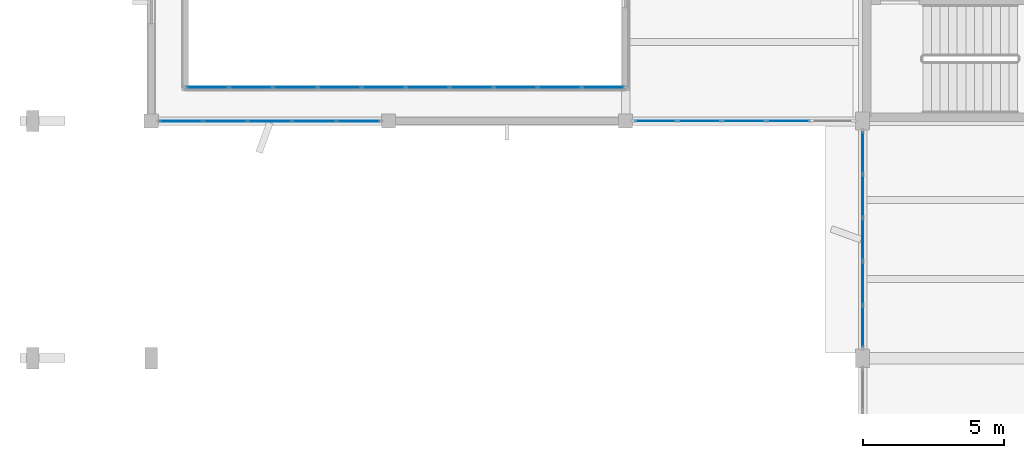
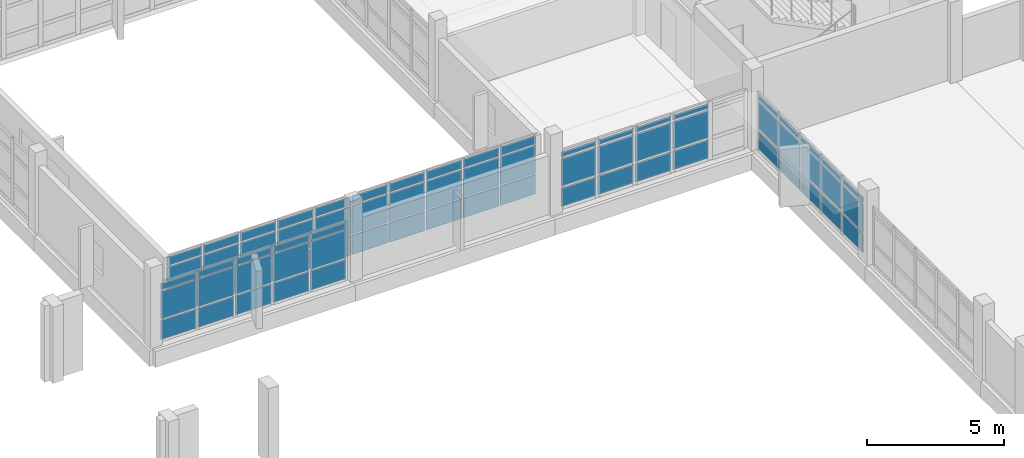
# One storey, part 58 of 104: 72 plates, 4 elements without a shape of their own.
"""IFC4 building model written with IfcOpenShell, lengths in metres."""

from ifc_helpers import new_model, si_unit, direction, frame, origin, origin_2d, place, context, subcontext, project, spatial, rectangle, extrude, material, layer, layer_set, type_object, element, aggregate, save


model = new_model("IFC4")

# Units and contexts
model_context = context("Model", 3, precision=1e-05, world=origin(), true_north=direction((0.0, 1.0)))
body_context = subcontext(model_context, "Body", "Model", "MODEL_VIEW")
ifc_project = project(units=[si_unit("LENGTHUNIT", "METRE"), si_unit("AREAUNIT", "SQUARE_METRE"), si_unit("VOLUMEUNIT", "CUBIC_METRE"), si_unit("PLANEANGLEUNIT", "RADIAN"), si_unit("MASSUNIT", "GRAM", prefix="KILO")], contexts=[model_context])

# Site, building, storey
site_placement = place(None, origin())
site = spatial("IfcSite", under=ifc_project, at=site_placement, CompositionType="ELEMENT")
building_placement = place(site_placement, origin())
building = spatial("IfcBuilding", under=site, at=building_placement, Name="Vanh Quang Courtyard School", CompositionType="ELEMENT")
storey_placement = place(building_placement, frame((0.0, 0.0, 4.199951171875)))
storey = spatial("IfcBuildingStorey", under=building, at=storey_placement, Name="L01", CompositionType="ELEMENT", Elevation=4.199951171875)

# Curtain wall, plates
ifc_material_1 = material(Name="Thermally broken aluminium unitised curtain wall", Category="aluminium")
curtain_wall_type_1 = type_object("IfcCurtainWallType", Name="CW-SYS-19", PredefinedType="NOTDEFINED", material=ifc_material_1)
curtain_wall_1_placement = place(storey_placement, origin())
curtain_wall_1 = element("IfcCurtainWall", 1, at=curtain_wall_1_placement, inside=storey, type_object=curtain_wall_type_1, Name="Curtain Wall CW-19 (L01)", PredefinedType="NOTDEFINED")
ifc_material_2 = material(Name="Low-E laminated double glazing", Category="glass")
ifc_layer_1 = layer(ifc_material_2, 0.028076171875)
ifc_layer_set_1 = layer_set([ifc_layer_1], Name="Low-E laminated double glazing")
plate_type_1 = type_object("IfcPlateType", Name="CW-PNL-28", PredefinedType="CURTAIN_PANEL", material=ifc_layer_set_1)
plate_1_placement = place(storey_placement, frame((26.77685546875, 88.199951171875, 0.080078125), z_axis=(0.0, 0.0, 1.0), x_axis=(-1.0, 0.0, 0.0)))
plate_1 = element("IfcPlate", 2, at=plate_1_placement, type_object=plate_type_1, Name="CW-19 panel 2.1", PredefinedType="CURTAIN_PANEL", context=body_context, shape_type="SweptSolid", body=[
    extrude(rectangle(XDim=1.496826171875, YDim=0.028076171875, at=origin_2d()), origin(), (0.0, 0.0, 1.0), 0.830078125),
])
plate_2_placement = place(storey_placement, frame((26.77685546875, 88.199951171875, 0.990234375), z_axis=(0.0, 0.0, 1.0), x_axis=(-1.0, 0.0, 0.0)))
plate_2 = element("IfcPlate", 3, at=plate_2_placement, type_object=plate_type_1, Name="CW-19 panel 2.2", PredefinedType="CURTAIN_PANEL", context=body_context, shape_type="SweptSolid", body=[
    extrude(rectangle(XDim=1.496826171875, YDim=0.028076171875, at=origin_2d()), origin(), (0.0, 0.0, 1.0), 1.219970703125),
])
plate_3_placement = place(storey_placement, frame((26.77685546875, 88.199951171875, 2.2900390625), z_axis=(0.0, 0.0, 1.0), x_axis=(-1.0, 0.0, 0.0)))
plate_3 = element("IfcPlate", 4, at=plate_3_placement, type_object=plate_type_1, Name="CW-19 panel 2.3", PredefinedType="CURTAIN_PANEL", context=body_context, shape_type="SweptSolid", body=[
    extrude(rectangle(XDim=1.496826171875, YDim=0.028076171875, at=origin_2d()), origin(), (0.0, 0.0, 1.0), 0.2099609375),
])
plate_4_placement = place(storey_placement, frame((25.199951171875, 88.199951171875, 0.080078125), z_axis=(0.0, 0.0, 1.0), x_axis=(-1.0, 0.0, 0.0)))
plate_4 = element("IfcPlate", 5, at=plate_4_placement, type_object=plate_type_1, Name="CW-19 panel 3.1", PredefinedType="CURTAIN_PANEL", context=body_context, shape_type="SweptSolid", body=[
    extrude(rectangle(XDim=1.496826171875, YDim=0.028076171875, at=origin_2d()), origin(), (0.0, 0.0, 1.0), 0.830078125),
])
plate_5_placement = place(storey_placement, frame((25.199951171875, 88.199951171875, 0.990234375), z_axis=(0.0, 0.0, 1.0), x_axis=(-1.0, 0.0, 0.0)))
plate_5 = element("IfcPlate", 6, at=plate_5_placement, type_object=plate_type_1, Name="CW-19 panel 3.2", PredefinedType="CURTAIN_PANEL", context=body_context, shape_type="SweptSolid", body=[
    extrude(rectangle(XDim=1.496826171875, YDim=0.028076171875, at=origin_2d()), origin(), (0.0, 0.0, 1.0), 1.219970703125),
])
plate_6_placement = place(storey_placement, frame((25.199951171875, 88.199951171875, 2.2900390625), z_axis=(0.0, 0.0, 1.0), x_axis=(-1.0, 0.0, 0.0)))
plate_6 = element("IfcPlate", 7, at=plate_6_placement, type_object=plate_type_1, Name="CW-19 panel 3.3", PredefinedType="CURTAIN_PANEL", context=body_context, shape_type="SweptSolid", body=[
    extrude(rectangle(XDim=1.496826171875, YDim=0.028076171875, at=origin_2d()), origin(), (0.0, 0.0, 1.0), 0.2099609375),
])
plate_7_placement = place(storey_placement, frame((23.623291015625, 88.199951171875, 0.080078125), z_axis=(0.0, 0.0, 1.0), x_axis=(-1.0, 0.0, 0.0)))
plate_7 = element("IfcPlate", 8, at=plate_7_placement, type_object=plate_type_1, Name="CW-19 panel 4.1", PredefinedType="CURTAIN_PANEL", context=body_context, shape_type="SweptSolid", body=[
    extrude(rectangle(XDim=1.496826171875, YDim=0.028076171875, at=origin_2d()), origin(), (0.0, 0.0, 1.0), 0.830078125),
])
plate_8_placement = place(storey_placement, frame((23.623291015625, 88.199951171875, 0.990234375), z_axis=(0.0, 0.0, 1.0), x_axis=(-1.0, 0.0, 0.0)))
plate_8 = element("IfcPlate", 9, at=plate_8_placement, type_object=plate_type_1, Name="CW-19 panel 4.2", PredefinedType="CURTAIN_PANEL", context=body_context, shape_type="SweptSolid", body=[
    extrude(rectangle(XDim=1.496826171875, YDim=0.028076171875, at=origin_2d()), origin(), (0.0, 0.0, 1.0), 1.219970703125),
])
plate_9_placement = place(storey_placement, frame((23.623291015625, 88.199951171875, 2.2900390625), z_axis=(0.0, 0.0, 1.0), x_axis=(-1.0, 0.0, 0.0)))
plate_9 = element("IfcPlate", 10, at=plate_9_placement, type_object=plate_type_1, Name="CW-19 panel 4.3", PredefinedType="CURTAIN_PANEL", context=body_context, shape_type="SweptSolid", body=[
    extrude(rectangle(XDim=1.496826171875, YDim=0.028076171875, at=origin_2d()), origin(), (0.0, 0.0, 1.0), 0.2099609375),
])
plate_10_placement = place(storey_placement, frame((22.06640625, 88.199951171875, 0.080078125), z_axis=(0.0, 0.0, 1.0), x_axis=(-1.0, 0.0, 0.0)))
plate_10 = element("IfcPlate", 11, at=plate_10_placement, type_object=plate_type_1, Name="CW-19 panel 5.1", PredefinedType="CURTAIN_PANEL", context=body_context, shape_type="SweptSolid", body=[
    extrude(rectangle(XDim=1.456787109375, YDim=0.028076171875, at=origin_2d()), origin(), (0.0, 0.0, 1.0), 0.830078125),
])
plate_11_placement = place(storey_placement, frame((22.06640625, 88.199951171875, 0.990234375), z_axis=(0.0, 0.0, 1.0), x_axis=(-1.0, 0.0, 0.0)))
plate_11 = element("IfcPlate", 12, at=plate_11_placement, type_object=plate_type_1, Name="CW-19 panel 5.2", PredefinedType="CURTAIN_PANEL", context=body_context, shape_type="SweptSolid", body=[
    extrude(rectangle(XDim=1.456787109375, YDim=0.028076171875, at=origin_2d()), origin(), (0.0, 0.0, 1.0), 1.219970703125),
])
plate_12_placement = place(storey_placement, frame((22.06640625, 88.199951171875, 2.2900390625), z_axis=(0.0, 0.0, 1.0), x_axis=(-1.0, 0.0, 0.0)))
plate_12 = element("IfcPlate", 13, at=plate_12_placement, type_object=plate_type_1, Name="CW-19 panel 5.3", PredefinedType="CURTAIN_PANEL", context=body_context, shape_type="SweptSolid", body=[
    extrude(rectangle(XDim=1.456787109375, YDim=0.028076171875, at=origin_2d()), origin(), (0.0, 0.0, 1.0), 0.2099609375),
])
aggregate(curtain_wall_1, [plate_1, plate_2, plate_3, plate_4, plate_5, plate_6, plate_7, plate_8, plate_9, plate_10, plate_11, plate_12])

curtain_wall_type_2 = type_object("IfcCurtainWallType", Name="CW-SYS-35", PredefinedType="NOTDEFINED", material=ifc_material_1)
curtain_wall_2_placement = place(storey_placement, origin())
curtain_wall_2 = element("IfcCurtainWall", 14, at=curtain_wall_2_placement, inside=storey, type_object=curtain_wall_type_2, Name="Curtain Wall CW-35 (L01)", PredefinedType="NOTDEFINED")
plate_13_placement = place(storey_placement, frame((6.195068359375, 89.39990234375, 0.06005859375), z_axis=(0.0, 0.0, 1.0), x_axis=(1.0, 0.0, 0.0)))
plate_13 = element("IfcPlate", 15, at=plate_13_placement, type_object=plate_type_1, Name="CW-35 panel 1.1", PredefinedType="CURTAIN_PANEL", context=body_context, shape_type="SweptSolid", body=[
    extrude(rectangle(XDim=1.469970703125, YDim=0.028076171875, at=origin_2d()), origin(), (0.0, 0.0, 1.0), 0.860107421875),
])
plate_14_placement = place(storey_placement, frame((6.195068359375, 89.39990234375, 0.97998046875), z_axis=(0.0, 0.0, 1.0), x_axis=(1.0, 0.0, 0.0)))
plate_14 = element("IfcPlate", 16, at=plate_14_placement, type_object=plate_type_1, Name="CW-35 panel 1.2", PredefinedType="CURTAIN_PANEL", context=body_context, shape_type="SweptSolid", body=[
    extrude(rectangle(XDim=1.469970703125, YDim=0.028076171875, at=origin_2d()), origin(), (0.0, 0.0, 1.0), 1.239990234375),
])
plate_15_placement = place(storey_placement, frame((6.195068359375, 89.39990234375, 2.280029296875), z_axis=(0.0, 0.0, 1.0), x_axis=(1.0, 0.0, 0.0)))
plate_15 = element("IfcPlate", 17, at=plate_15_placement, type_object=plate_type_1, Name="CW-35 panel 1.3", PredefinedType="CURTAIN_PANEL", context=body_context, shape_type="SweptSolid", body=[
    extrude(rectangle(XDim=1.469970703125, YDim=0.028076171875, at=origin_2d()), origin(), (0.0, 0.0, 1.0), 0.3798828125),
])
plate_16_placement = place(storey_placement, frame((7.739990234375, 89.39990234375, 0.06005859375), z_axis=(0.0, 0.0, 1.0), x_axis=(1.0, 0.0, 0.0)))
plate_16 = element("IfcPlate", 18, at=plate_16_placement, type_object=plate_type_1, Name="CW-35 panel 2.1", PredefinedType="CURTAIN_PANEL", context=body_context, shape_type="SweptSolid", body=[
    extrude(rectangle(XDim=1.5, YDim=0.028076171875, at=origin_2d()), origin(), (0.0, 0.0, 1.0), 0.860107421875),
])
plate_17_placement = place(storey_placement, frame((7.739990234375, 89.39990234375, 0.97998046875), z_axis=(0.0, 0.0, 1.0), x_axis=(1.0, 0.0, 0.0)))
plate_17 = element("IfcPlate", 19, at=plate_17_placement, type_object=plate_type_1, Name="CW-35 panel 2.2", PredefinedType="CURTAIN_PANEL", context=body_context, shape_type="SweptSolid", body=[
    extrude(rectangle(XDim=1.5, YDim=0.028076171875, at=origin_2d()), origin(), (0.0, 0.0, 1.0), 1.239990234375),
])
plate_18_placement = place(storey_placement, frame((7.739990234375, 89.39990234375, 2.280029296875), z_axis=(0.0, 0.0, 1.0), x_axis=(1.0, 0.0, 0.0)))
plate_18 = element("IfcPlate", 20, at=plate_18_placement, type_object=plate_type_1, Name="CW-35 panel 2.3", PredefinedType="CURTAIN_PANEL", context=body_context, shape_type="SweptSolid", body=[
    extrude(rectangle(XDim=1.5, YDim=0.028076171875, at=origin_2d()), origin(), (0.0, 0.0, 1.0), 0.3798828125),
])
plate_19_placement = place(storey_placement, frame((9.300048828125, 89.39990234375, 0.06005859375), z_axis=(0.0, 0.0, 1.0), x_axis=(1.0, 0.0, 0.0)))
plate_19 = element("IfcPlate", 21, at=plate_19_placement, type_object=plate_type_1, Name="CW-35 panel 3.1", PredefinedType="CURTAIN_PANEL", context=body_context, shape_type="SweptSolid", body=[
    extrude(rectangle(XDim=1.5, YDim=0.028076171875, at=origin_2d()), origin(), (0.0, 0.0, 1.0), 0.860107421875),
])
plate_20_placement = place(storey_placement, frame((9.300048828125, 89.39990234375, 0.97998046875), z_axis=(0.0, 0.0, 1.0), x_axis=(1.0, 0.0, 0.0)))
plate_20 = element("IfcPlate", 22, at=plate_20_placement, type_object=plate_type_1, Name="CW-35 panel 3.2", PredefinedType="CURTAIN_PANEL", context=body_context, shape_type="SweptSolid", body=[
    extrude(rectangle(XDim=1.5, YDim=0.028076171875, at=origin_2d()), origin(), (0.0, 0.0, 1.0), 1.239990234375),
])
plate_21_placement = place(storey_placement, frame((9.300048828125, 89.39990234375, 2.280029296875), z_axis=(0.0, 0.0, 1.0), x_axis=(1.0, 0.0, 0.0)))
plate_21 = element("IfcPlate", 23, at=plate_21_placement, type_object=plate_type_1, Name="CW-35 panel 3.3", PredefinedType="CURTAIN_PANEL", context=body_context, shape_type="SweptSolid", body=[
    extrude(rectangle(XDim=1.5, YDim=0.028076171875, at=origin_2d()), origin(), (0.0, 0.0, 1.0), 0.3798828125),
])
plate_22_placement = place(storey_placement, frame((10.860107421875, 89.39990234375, 0.06005859375), z_axis=(0.0, 0.0, 1.0), x_axis=(1.0, 0.0, 0.0)))
plate_22 = element("IfcPlate", 24, at=plate_22_placement, type_object=plate_type_1, Name="CW-35 panel 4.1", PredefinedType="CURTAIN_PANEL", context=body_context, shape_type="SweptSolid", body=[
    extrude(rectangle(XDim=1.5, YDim=0.028076171875, at=origin_2d()), origin(), (0.0, 0.0, 1.0), 0.860107421875),
])
plate_23_placement = place(storey_placement, frame((10.860107421875, 89.39990234375, 0.97998046875), z_axis=(0.0, 0.0, 1.0), x_axis=(1.0, 0.0, 0.0)))
plate_23 = element("IfcPlate", 25, at=plate_23_placement, type_object=plate_type_1, Name="CW-35 panel 4.2", PredefinedType="CURTAIN_PANEL", context=body_context, shape_type="SweptSolid", body=[
    extrude(rectangle(XDim=1.5, YDim=0.028076171875, at=origin_2d()), origin(), (0.0, 0.0, 1.0), 1.239990234375),
])
plate_24_placement = place(storey_placement, frame((10.860107421875, 89.39990234375, 2.280029296875), z_axis=(0.0, 0.0, 1.0), x_axis=(1.0, 0.0, 0.0)))
plate_24 = element("IfcPlate", 26, at=plate_24_placement, type_object=plate_type_1, Name="CW-35 panel 4.3", PredefinedType="CURTAIN_PANEL", context=body_context, shape_type="SweptSolid", body=[
    extrude(rectangle(XDim=1.5, YDim=0.028076171875, at=origin_2d()), origin(), (0.0, 0.0, 1.0), 0.3798828125),
])
plate_25_placement = place(storey_placement, frame((12.419921875, 89.39990234375, 0.06005859375), z_axis=(0.0, 0.0, 1.0), x_axis=(1.0, 0.0, 0.0)))
plate_25 = element("IfcPlate", 27, at=plate_25_placement, type_object=plate_type_1, Name="CW-35 panel 5.1", PredefinedType="CURTAIN_PANEL", context=body_context, shape_type="SweptSolid", body=[
    extrude(rectangle(XDim=1.5, YDim=0.028076171875, at=origin_2d()), origin(), (0.0, 0.0, 1.0), 0.860107421875),
])
plate_26_placement = place(storey_placement, frame((12.419921875, 89.39990234375, 0.97998046875), z_axis=(0.0, 0.0, 1.0), x_axis=(1.0, 0.0, 0.0)))
plate_26 = element("IfcPlate", 28, at=plate_26_placement, type_object=plate_type_1, Name="CW-35 panel 5.2", PredefinedType="CURTAIN_PANEL", context=body_context, shape_type="SweptSolid", body=[
    extrude(rectangle(XDim=1.5, YDim=0.028076171875, at=origin_2d()), origin(), (0.0, 0.0, 1.0), 1.239990234375),
])
plate_27_placement = place(storey_placement, frame((12.419921875, 89.39990234375, 2.280029296875), z_axis=(0.0, 0.0, 1.0), x_axis=(1.0, 0.0, 0.0)))
plate_27 = element("IfcPlate", 29, at=plate_27_placement, type_object=plate_type_1, Name="CW-35 panel 5.3", PredefinedType="CURTAIN_PANEL", context=body_context, shape_type="SweptSolid", body=[
    extrude(rectangle(XDim=1.5, YDim=0.028076171875, at=origin_2d()), origin(), (0.0, 0.0, 1.0), 0.3798828125),
])
plate_28_placement = place(storey_placement, frame((13.97998046875, 89.39990234375, 0.06005859375), z_axis=(0.0, 0.0, 1.0), x_axis=(1.0, 0.0, 0.0)))
plate_28 = element("IfcPlate", 30, at=plate_28_placement, type_object=plate_type_1, Name="CW-35 panel 6.1", PredefinedType="CURTAIN_PANEL", context=body_context, shape_type="SweptSolid", body=[
    extrude(rectangle(XDim=1.5, YDim=0.028076171875, at=origin_2d()), origin(), (0.0, 0.0, 1.0), 0.860107421875),
])
plate_29_placement = place(storey_placement, frame((13.97998046875, 89.39990234375, 0.97998046875), z_axis=(0.0, 0.0, 1.0), x_axis=(1.0, 0.0, 0.0)))
plate_29 = element("IfcPlate", 31, at=plate_29_placement, type_object=plate_type_1, Name="CW-35 panel 6.2", PredefinedType="CURTAIN_PANEL", context=body_context, shape_type="SweptSolid", body=[
    extrude(rectangle(XDim=1.5, YDim=0.028076171875, at=origin_2d()), origin(), (0.0, 0.0, 1.0), 1.239990234375),
])
plate_30_placement = place(storey_placement, frame((13.97998046875, 89.39990234375, 2.280029296875), z_axis=(0.0, 0.0, 1.0), x_axis=(1.0, 0.0, 0.0)))
plate_30 = element("IfcPlate", 32, at=plate_30_placement, type_object=plate_type_1, Name="CW-35 panel 6.3", PredefinedType="CURTAIN_PANEL", context=body_context, shape_type="SweptSolid", body=[
    extrude(rectangle(XDim=1.5, YDim=0.028076171875, at=origin_2d()), origin(), (0.0, 0.0, 1.0), 0.3798828125),
])
plate_31_placement = place(storey_placement, frame((15.5400390625, 89.39990234375, 0.06005859375), z_axis=(0.0, 0.0, 1.0), x_axis=(1.0, 0.0, 0.0)))
plate_31 = element("IfcPlate", 33, at=plate_31_placement, type_object=plate_type_1, Name="CW-35 panel 7.1", PredefinedType="CURTAIN_PANEL", context=body_context, shape_type="SweptSolid", body=[
    extrude(rectangle(XDim=1.5, YDim=0.028076171875, at=origin_2d()), origin(), (0.0, 0.0, 1.0), 0.860107421875),
])
plate_32_placement = place(storey_placement, frame((15.5400390625, 89.39990234375, 0.97998046875), z_axis=(0.0, 0.0, 1.0), x_axis=(1.0, 0.0, 0.0)))
plate_32 = element("IfcPlate", 34, at=plate_32_placement, type_object=plate_type_1, Name="CW-35 panel 7.2", PredefinedType="CURTAIN_PANEL", context=body_context, shape_type="SweptSolid", body=[
    extrude(rectangle(XDim=1.5, YDim=0.028076171875, at=origin_2d()), origin(), (0.0, 0.0, 1.0), 1.239990234375),
])
plate_33_placement = place(storey_placement, frame((15.5400390625, 89.39990234375, 2.280029296875), z_axis=(0.0, 0.0, 1.0), x_axis=(1.0, 0.0, 0.0)))
plate_33 = element("IfcPlate", 35, at=plate_33_placement, type_object=plate_type_1, Name="CW-35 panel 7.3", PredefinedType="CURTAIN_PANEL", context=body_context, shape_type="SweptSolid", body=[
    extrude(rectangle(XDim=1.5, YDim=0.028076171875, at=origin_2d()), origin(), (0.0, 0.0, 1.0), 0.3798828125),
])
plate_34_placement = place(storey_placement, frame((17.10009765625, 89.39990234375, 0.06005859375), z_axis=(0.0, 0.0, 1.0), x_axis=(1.0, 0.0, 0.0)))
plate_34 = element("IfcPlate", 36, at=plate_34_placement, type_object=plate_type_1, Name="CW-35 panel 8.1", PredefinedType="CURTAIN_PANEL", context=body_context, shape_type="SweptSolid", body=[
    extrude(rectangle(XDim=1.5, YDim=0.028076171875, at=origin_2d()), origin(), (0.0, 0.0, 1.0), 0.860107421875),
])
plate_35_placement = place(storey_placement, frame((17.10009765625, 89.39990234375, 0.97998046875), z_axis=(0.0, 0.0, 1.0), x_axis=(1.0, 0.0, 0.0)))
plate_35 = element("IfcPlate", 37, at=plate_35_placement, type_object=plate_type_1, Name="CW-35 panel 8.2", PredefinedType="CURTAIN_PANEL", context=body_context, shape_type="SweptSolid", body=[
    extrude(rectangle(XDim=1.5, YDim=0.028076171875, at=origin_2d()), origin(), (0.0, 0.0, 1.0), 1.239990234375),
])
plate_36_placement = place(storey_placement, frame((17.10009765625, 89.39990234375, 2.280029296875), z_axis=(0.0, 0.0, 1.0), x_axis=(1.0, 0.0, 0.0)))
plate_36 = element("IfcPlate", 38, at=plate_36_placement, type_object=plate_type_1, Name="CW-35 panel 8.3", PredefinedType="CURTAIN_PANEL", context=body_context, shape_type="SweptSolid", body=[
    extrude(rectangle(XDim=1.5, YDim=0.028076171875, at=origin_2d()), origin(), (0.0, 0.0, 1.0), 0.3798828125),
])
plate_37_placement = place(storey_placement, frame((18.659912109375, 89.39990234375, 0.06005859375), z_axis=(0.0, 0.0, 1.0), x_axis=(1.0, 0.0, 0.0)))
plate_37 = element("IfcPlate", 39, at=plate_37_placement, type_object=plate_type_1, Name="CW-35 panel 9.1", PredefinedType="CURTAIN_PANEL", context=body_context, shape_type="SweptSolid", body=[
    extrude(rectangle(XDim=1.5, YDim=0.028076171875, at=origin_2d()), origin(), (0.0, 0.0, 1.0), 0.860107421875),
])
plate_38_placement = place(storey_placement, frame((18.659912109375, 89.39990234375, 0.97998046875), z_axis=(0.0, 0.0, 1.0), x_axis=(1.0, 0.0, 0.0)))
plate_38 = element("IfcPlate", 40, at=plate_38_placement, type_object=plate_type_1, Name="CW-35 panel 9.2", PredefinedType="CURTAIN_PANEL", context=body_context, shape_type="SweptSolid", body=[
    extrude(rectangle(XDim=1.5, YDim=0.028076171875, at=origin_2d()), origin(), (0.0, 0.0, 1.0), 1.239990234375),
])
plate_39_placement = place(storey_placement, frame((18.659912109375, 89.39990234375, 2.280029296875), z_axis=(0.0, 0.0, 1.0), x_axis=(1.0, 0.0, 0.0)))
plate_39 = element("IfcPlate", 41, at=plate_39_placement, type_object=plate_type_1, Name="CW-35 panel 9.3", PredefinedType="CURTAIN_PANEL", context=body_context, shape_type="SweptSolid", body=[
    extrude(rectangle(XDim=1.5, YDim=0.028076171875, at=origin_2d()), origin(), (0.0, 0.0, 1.0), 0.3798828125),
])
plate_40_placement = place(storey_placement, frame((20.205078125, 89.39990234375, 0.06005859375), z_axis=(0.0, 0.0, 1.0), x_axis=(1.0, 0.0, 0.0)))
plate_40 = element("IfcPlate", 42, at=plate_40_placement, type_object=plate_type_1, Name="CW-35 panel 10.1", PredefinedType="CURTAIN_PANEL", context=body_context, shape_type="SweptSolid", body=[
    extrude(rectangle(XDim=1.469970703125, YDim=0.028076171875, at=origin_2d()), origin(), (0.0, 0.0, 1.0), 0.860107421875),
])
plate_41_placement = place(storey_placement, frame((20.205078125, 89.39990234375, 0.97998046875), z_axis=(0.0, 0.0, 1.0), x_axis=(1.0, 0.0, 0.0)))
plate_41 = element("IfcPlate", 43, at=plate_41_placement, type_object=plate_type_1, Name="CW-35 panel 10.2", PredefinedType="CURTAIN_PANEL", context=body_context, shape_type="SweptSolid", body=[
    extrude(rectangle(XDim=1.469970703125, YDim=0.028076171875, at=origin_2d()), origin(), (0.0, 0.0, 1.0), 1.239990234375),
])
plate_42_placement = place(storey_placement, frame((20.205078125, 89.39990234375, 2.280029296875), z_axis=(0.0, 0.0, 1.0), x_axis=(1.0, 0.0, 0.0)))
plate_42 = element("IfcPlate", 44, at=plate_42_placement, type_object=plate_type_1, Name="CW-35 panel 10.3", PredefinedType="CURTAIN_PANEL", context=body_context, shape_type="SweptSolid", body=[
    extrude(rectangle(XDim=1.469970703125, YDim=0.028076171875, at=origin_2d()), origin(), (0.0, 0.0, 1.0), 0.3798828125),
])
aggregate(curtain_wall_2, [plate_13, plate_14, plate_15, plate_16, plate_17, plate_18, plate_19, plate_20, plate_21, plate_22, plate_23, plate_24, plate_25, plate_26, plate_27, plate_28, plate_29, plate_30, plate_31, plate_32, plate_33, plate_34, plate_35, plate_36, plate_37, plate_38, plate_39, plate_40, plate_41, plate_42])

curtain_wall_type_3 = type_object("IfcCurtainWallType", Name="CW-SYS-21", PredefinedType="NOTDEFINED", material=ifc_material_1)
curtain_wall_3_placement = place(storey_placement, origin())
curtain_wall_3 = element("IfcCurtainWall", 45, at=curtain_wall_3_placement, inside=storey, type_object=curtain_wall_type_3, Name="Curtain Wall CW-21 (L01)", PredefinedType="NOTDEFINED")
ifc_layer_2 = layer(ifc_material_2, 0.031982421875)
ifc_layer_set_2 = layer_set([ifc_layer_2], Name="Low-E laminated double glazing")
plate_type_2 = type_object("IfcPlateType", Name="CW-PNL-32", PredefinedType="CURTAIN_PANEL", material=ifc_layer_set_2)
plate_43_placement = place(storey_placement, frame((29.39990234375, 80.923828125, 0.06982421875), z_axis=(0.0, 0.0, 1.0), x_axis=(0.0, 1.0, 0.0)))
plate_43 = element("IfcPlate", 46, at=plate_43_placement, type_object=plate_type_2, Name="CW-21 panel 1.1", PredefinedType="CURTAIN_PANEL", context=body_context, shape_type="SweptSolid", body=[
    extrude(rectangle(XDim=1.44189453125, YDim=0.031982421875, at=origin_2d()), origin(), (0.0, 0.0, 1.0), 0.844970703125),
])
plate_44_placement = place(storey_placement, frame((29.39990234375, 80.923828125, 0.985107421875), z_axis=(0.0, 0.0, 1.0), x_axis=(0.0, 1.0, 0.0)))
plate_44 = element("IfcPlate", 47, at=plate_44_placement, type_object=plate_type_2, Name="CW-21 panel 1.2", PredefinedType="CURTAIN_PANEL", context=body_context, shape_type="SweptSolid", body=[
    extrude(rectangle(XDim=1.44189453125, YDim=0.031982421875, at=origin_2d()), origin(), (0.0, 0.0, 1.0), 1.22998046875),
])
plate_45_placement = place(storey_placement, frame((29.39990234375, 80.923828125, 2.284912109375), z_axis=(0.0, 0.0, 1.0), x_axis=(0.0, 1.0, 0.0)))
plate_45 = element("IfcPlate", 48, at=plate_45_placement, type_object=plate_type_2, Name="CW-21 panel 1.3", PredefinedType="CURTAIN_PANEL", context=body_context, shape_type="SweptSolid", body=[
    extrude(rectangle(XDim=1.44189453125, YDim=0.031982421875, at=origin_2d()), origin(), (0.0, 0.0, 1.0), 0.22509765625),
])
plate_46_placement = place(storey_placement, frame((29.39990234375, 82.453125, 0.06982421875), z_axis=(0.0, 0.0, 1.0), x_axis=(0.0, 1.0, 0.0)))
plate_46 = element("IfcPlate", 49, at=plate_46_placement, type_object=plate_type_2, Name="CW-21 panel 2.1", PredefinedType="CURTAIN_PANEL", context=body_context, shape_type="SweptSolid", body=[
    extrude(rectangle(XDim=1.476806640625, YDim=0.031982421875, at=origin_2d()), origin(), (0.0, 0.0, 1.0), 0.844970703125),
])
plate_47_placement = place(storey_placement, frame((29.39990234375, 82.453125, 0.985107421875), z_axis=(0.0, 0.0, 1.0), x_axis=(0.0, 1.0, 0.0)))
plate_47 = element("IfcPlate", 50, at=plate_47_placement, type_object=plate_type_2, Name="CW-21 panel 2.2", PredefinedType="CURTAIN_PANEL", context=body_context, shape_type="SweptSolid", body=[
    extrude(rectangle(XDim=1.476806640625, YDim=0.031982421875, at=origin_2d()), origin(), (0.0, 0.0, 1.0), 1.22998046875),
])
plate_48_placement = place(storey_placement, frame((29.39990234375, 82.453125, 2.284912109375), z_axis=(0.0, 0.0, 1.0), x_axis=(0.0, 1.0, 0.0)))
plate_48 = element("IfcPlate", 51, at=plate_48_placement, type_object=plate_type_2, Name="CW-21 panel 2.3", PredefinedType="CURTAIN_PANEL", context=body_context, shape_type="SweptSolid", body=[
    extrude(rectangle(XDim=1.476806640625, YDim=0.031982421875, at=origin_2d()), origin(), (0.0, 0.0, 1.0), 0.22509765625),
])
plate_49_placement = place(storey_placement, frame((29.39990234375, 84.0, 0.06982421875), z_axis=(0.0, 0.0, 1.0), x_axis=(0.0, 1.0, 0.0)))
plate_49 = element("IfcPlate", 52, at=plate_49_placement, type_object=plate_type_2, Name="CW-21 panel 3.1", PredefinedType="CURTAIN_PANEL", context=body_context, shape_type="SweptSolid", body=[
    extrude(rectangle(XDim=1.476806640625, YDim=0.031982421875, at=origin_2d()), origin(), (0.0, 0.0, 1.0), 0.844970703125),
])
plate_50_placement = place(storey_placement, frame((29.39990234375, 84.0, 0.985107421875), z_axis=(0.0, 0.0, 1.0), x_axis=(0.0, 1.0, 0.0)))
plate_50 = element("IfcPlate", 53, at=plate_50_placement, type_object=plate_type_2, Name="CW-21 panel 3.2", PredefinedType="CURTAIN_PANEL", context=body_context, shape_type="SweptSolid", body=[
    extrude(rectangle(XDim=1.476806640625, YDim=0.031982421875, at=origin_2d()), origin(), (0.0, 0.0, 1.0), 1.22998046875),
])
plate_51_placement = place(storey_placement, frame((29.39990234375, 84.0, 2.284912109375), z_axis=(0.0, 0.0, 1.0), x_axis=(0.0, 1.0, 0.0)))
plate_51 = element("IfcPlate", 54, at=plate_51_placement, type_object=plate_type_2, Name="CW-21 panel 3.3", PredefinedType="CURTAIN_PANEL", context=body_context, shape_type="SweptSolid", body=[
    extrude(rectangle(XDim=1.476806640625, YDim=0.031982421875, at=origin_2d()), origin(), (0.0, 0.0, 1.0), 0.22509765625),
])
plate_52_placement = place(storey_placement, frame((29.39990234375, 85.546875, 0.06982421875), z_axis=(0.0, 0.0, 1.0), x_axis=(0.0, 1.0, 0.0)))
plate_52 = element("IfcPlate", 55, at=plate_52_placement, type_object=plate_type_2, Name="CW-21 panel 4.1", PredefinedType="CURTAIN_PANEL", context=body_context, shape_type="SweptSolid", body=[
    extrude(rectangle(XDim=1.476806640625, YDim=0.031982421875, at=origin_2d()), origin(), (0.0, 0.0, 1.0), 0.844970703125),
])
plate_53_placement = place(storey_placement, frame((29.39990234375, 85.546875, 0.985107421875), z_axis=(0.0, 0.0, 1.0), x_axis=(0.0, 1.0, 0.0)))
plate_53 = element("IfcPlate", 56, at=plate_53_placement, type_object=plate_type_2, Name="CW-21 panel 4.2", PredefinedType="CURTAIN_PANEL", context=body_context, shape_type="SweptSolid", body=[
    extrude(rectangle(XDim=1.476806640625, YDim=0.031982421875, at=origin_2d()), origin(), (0.0, 0.0, 1.0), 1.22998046875),
])
plate_54_placement = place(storey_placement, frame((29.39990234375, 85.546875, 2.284912109375), z_axis=(0.0, 0.0, 1.0), x_axis=(0.0, 1.0, 0.0)))
plate_54 = element("IfcPlate", 57, at=plate_54_placement, type_object=plate_type_2, Name="CW-21 panel 4.3", PredefinedType="CURTAIN_PANEL", context=body_context, shape_type="SweptSolid", body=[
    extrude(rectangle(XDim=1.476806640625, YDim=0.031982421875, at=origin_2d()), origin(), (0.0, 0.0, 1.0), 0.22509765625),
])
plate_55_placement = place(storey_placement, frame((29.39990234375, 87.076171875, 0.06982421875), z_axis=(0.0, 0.0, 1.0), x_axis=(0.0, 1.0, 0.0)))
plate_55 = element("IfcPlate", 58, at=plate_55_placement, type_object=plate_type_2, Name="CW-21 panel 5.1", PredefinedType="CURTAIN_PANEL", context=body_context, shape_type="SweptSolid", body=[
    extrude(rectangle(XDim=1.44189453125, YDim=0.031982421875, at=origin_2d()), origin(), (0.0, 0.0, 1.0), 0.844970703125),
])
plate_56_placement = place(storey_placement, frame((29.39990234375, 87.076171875, 0.985107421875), z_axis=(0.0, 0.0, 1.0), x_axis=(0.0, 1.0, 0.0)))
plate_56 = element("IfcPlate", 59, at=plate_56_placement, type_object=plate_type_2, Name="CW-21 panel 5.2", PredefinedType="CURTAIN_PANEL", context=body_context, shape_type="SweptSolid", body=[
    extrude(rectangle(XDim=1.44189453125, YDim=0.031982421875, at=origin_2d()), origin(), (0.0, 0.0, 1.0), 1.22998046875),
])
plate_57_placement = place(storey_placement, frame((29.39990234375, 87.076171875, 2.284912109375), z_axis=(0.0, 0.0, 1.0), x_axis=(0.0, 1.0, 0.0)))
plate_57 = element("IfcPlate", 60, at=plate_57_placement, type_object=plate_type_2, Name="CW-21 panel 5.3", PredefinedType="CURTAIN_PANEL", context=body_context, shape_type="SweptSolid", body=[
    extrude(rectangle(XDim=1.44189453125, YDim=0.031982421875, at=origin_2d()), origin(), (0.0, 0.0, 1.0), 0.22509765625),
])
aggregate(curtain_wall_3, [plate_43, plate_44, plate_45, plate_46, plate_47, plate_48, plate_49, plate_50, plate_51, plate_52, plate_53, plate_54, plate_55, plate_56, plate_57])

curtain_wall_4_placement = place(storey_placement, origin())
curtain_wall_4 = element("IfcCurtainWall", 61, at=curtain_wall_4_placement, inside=storey, type_object=curtain_wall_type_1, Name="Curtain Wall CW-19 (L01)", PredefinedType="NOTDEFINED")
plate_58_placement = place(storey_placement, frame((11.53857421875, 88.199951171875, 0.06005859375), z_axis=(0.0, 0.0, 1.0), x_axis=(-1.0, 0.0, 0.0)))
plate_58 = element("IfcPlate", 62, at=plate_58_placement, type_object=plate_type_2, Name="CW-19 panel 1.1", PredefinedType="CURTAIN_PANEL", context=body_context, shape_type="SweptSolid", body=[
    extrude(rectangle(XDim=1.48681640625, YDim=0.031982421875, at=origin_2d()), origin(), (0.0, 0.0, 1.0), 0.860107421875),
])
plate_59_placement = place(storey_placement, frame((11.53857421875, 88.199951171875, 0.97998046875), z_axis=(0.0, 0.0, 1.0), x_axis=(-1.0, 0.0, 0.0)))
plate_59 = element("IfcPlate", 63, at=plate_59_placement, type_object=plate_type_2, Name="CW-19 panel 1.2", PredefinedType="CURTAIN_PANEL", context=body_context, shape_type="SweptSolid", body=[
    extrude(rectangle(XDim=1.48681640625, YDim=0.031982421875, at=origin_2d()), origin(), (0.0, 0.0, 1.0), 1.239990234375),
])
plate_60_placement = place(storey_placement, frame((11.53857421875, 88.199951171875, 2.2802734375), z_axis=(0.0, 0.0, 1.0), x_axis=(-1.0, 0.0, 0.0)))
plate_60 = element("IfcPlate", 64, at=plate_60_placement, type_object=plate_type_2, Name="CW-19 panel 1.3", PredefinedType="CURTAIN_PANEL", context=body_context, shape_type="SweptSolid", body=[
    extrude(rectangle(XDim=1.48681640625, YDim=0.031982421875, at=origin_2d()), origin(), (0.0, 0.0, 1.0), 0.280029296875),
])
plate_61_placement = place(storey_placement, frame((9.976806640625, 88.199951171875, 0.06005859375), z_axis=(0.0, 0.0, 1.0), x_axis=(-1.0, 0.0, 0.0)))
plate_61 = element("IfcPlate", 65, at=plate_61_placement, type_object=plate_type_2, Name="CW-19 panel 2.1", PredefinedType="CURTAIN_PANEL", context=body_context, shape_type="SweptSolid", body=[
    extrude(rectangle(XDim=1.516845703125, YDim=0.031982421875, at=origin_2d()), origin(), (0.0, 0.0, 1.0), 0.860107421875),
])
plate_62_placement = place(storey_placement, frame((9.976806640625, 88.199951171875, 0.97998046875), z_axis=(0.0, 0.0, 1.0), x_axis=(-1.0, 0.0, 0.0)))
plate_62 = element("IfcPlate", 66, at=plate_62_placement, type_object=plate_type_2, Name="CW-19 panel 2.2", PredefinedType="CURTAIN_PANEL", context=body_context, shape_type="SweptSolid", body=[
    extrude(rectangle(XDim=1.516845703125, YDim=0.031982421875, at=origin_2d()), origin(), (0.0, 0.0, 1.0), 1.239990234375),
])
plate_63_placement = place(storey_placement, frame((9.976806640625, 88.199951171875, 2.2802734375), z_axis=(0.0, 0.0, 1.0), x_axis=(-1.0, 0.0, 0.0)))
plate_63 = element("IfcPlate", 67, at=plate_63_placement, type_object=plate_type_2, Name="CW-19 panel 2.3", PredefinedType="CURTAIN_PANEL", context=body_context, shape_type="SweptSolid", body=[
    extrude(rectangle(XDim=1.516845703125, YDim=0.031982421875, at=origin_2d()), origin(), (0.0, 0.0, 1.0), 0.280029296875),
])
plate_64_placement = place(storey_placement, frame((8.39990234375, 88.199951171875, 0.06005859375), z_axis=(0.0, 0.0, 1.0), x_axis=(-1.0, 0.0, 0.0)))
plate_64 = element("IfcPlate", 68, at=plate_64_placement, type_object=plate_type_2, Name="CW-19 panel 3.1", PredefinedType="CURTAIN_PANEL", context=body_context, shape_type="SweptSolid", body=[
    extrude(rectangle(XDim=1.516845703125, YDim=0.031982421875, at=origin_2d()), origin(), (0.0, 0.0, 1.0), 0.860107421875),
])
plate_65_placement = place(storey_placement, frame((8.39990234375, 88.199951171875, 0.97998046875), z_axis=(0.0, 0.0, 1.0), x_axis=(-1.0, 0.0, 0.0)))
plate_65 = element("IfcPlate", 69, at=plate_65_placement, type_object=plate_type_2, Name="CW-19 panel 3.2", PredefinedType="CURTAIN_PANEL", context=body_context, shape_type="SweptSolid", body=[
    extrude(rectangle(XDim=1.516845703125, YDim=0.031982421875, at=origin_2d()), origin(), (0.0, 0.0, 1.0), 1.239990234375),
])
plate_66_placement = place(storey_placement, frame((8.39990234375, 88.199951171875, 2.2802734375), z_axis=(0.0, 0.0, 1.0), x_axis=(-1.0, 0.0, 0.0)))
plate_66 = element("IfcPlate", 70, at=plate_66_placement, type_object=plate_type_2, Name="CW-19 panel 3.3", PredefinedType="CURTAIN_PANEL", context=body_context, shape_type="SweptSolid", body=[
    extrude(rectangle(XDim=1.516845703125, YDim=0.031982421875, at=origin_2d()), origin(), (0.0, 0.0, 1.0), 0.280029296875),
])
plate_67_placement = place(storey_placement, frame((6.8232421875, 88.199951171875, 0.06005859375), z_axis=(0.0, 0.0, 1.0), x_axis=(-1.0, 0.0, 0.0)))
plate_67 = element("IfcPlate", 71, at=plate_67_placement, type_object=plate_type_2, Name="CW-19 panel 4.1", PredefinedType="CURTAIN_PANEL", context=body_context, shape_type="SweptSolid", body=[
    extrude(rectangle(XDim=1.516845703125, YDim=0.031982421875, at=origin_2d()), origin(), (0.0, 0.0, 1.0), 0.860107421875),
])
plate_68_placement = place(storey_placement, frame((6.8232421875, 88.199951171875, 0.97998046875), z_axis=(0.0, 0.0, 1.0), x_axis=(-1.0, 0.0, 0.0)))
plate_68 = element("IfcPlate", 72, at=plate_68_placement, type_object=plate_type_2, Name="CW-19 panel 4.2", PredefinedType="CURTAIN_PANEL", context=body_context, shape_type="SweptSolid", body=[
    extrude(rectangle(XDim=1.516845703125, YDim=0.031982421875, at=origin_2d()), origin(), (0.0, 0.0, 1.0), 1.239990234375),
])
plate_69_placement = place(storey_placement, frame((6.8232421875, 88.199951171875, 2.2802734375), z_axis=(0.0, 0.0, 1.0), x_axis=(-1.0, 0.0, 0.0)))
plate_69 = element("IfcPlate", 73, at=plate_69_placement, type_object=plate_type_2, Name="CW-19 panel 4.3", PredefinedType="CURTAIN_PANEL", context=body_context, shape_type="SweptSolid", body=[
    extrude(rectangle(XDim=1.516845703125, YDim=0.031982421875, at=origin_2d()), origin(), (0.0, 0.0, 1.0), 0.280029296875),
])
plate_70_placement = place(storey_placement, frame((5.261474609375, 88.199951171875, 0.06005859375), z_axis=(0.0, 0.0, 1.0), x_axis=(-1.0, 0.0, 0.0)))
plate_70 = element("IfcPlate", 74, at=plate_70_placement, type_object=plate_type_2, Name="CW-19 panel 5.1", PredefinedType="CURTAIN_PANEL", context=body_context, shape_type="SweptSolid", body=[
    extrude(rectangle(XDim=1.48681640625, YDim=0.031982421875, at=origin_2d()), origin(), (0.0, 0.0, 1.0), 0.860107421875),
])
plate_71_placement = place(storey_placement, frame((5.261474609375, 88.199951171875, 0.97998046875), z_axis=(0.0, 0.0, 1.0), x_axis=(-1.0, 0.0, 0.0)))
plate_71 = element("IfcPlate", 75, at=plate_71_placement, type_object=plate_type_2, Name="CW-19 panel 5.2", PredefinedType="CURTAIN_PANEL", context=body_context, shape_type="SweptSolid", body=[
    extrude(rectangle(XDim=1.48681640625, YDim=0.031982421875, at=origin_2d()), origin(), (0.0, 0.0, 1.0), 1.239990234375),
])
plate_72_placement = place(storey_placement, frame((5.261474609375, 88.199951171875, 2.2802734375), z_axis=(0.0, 0.0, 1.0), x_axis=(-1.0, 0.0, 0.0)))
plate_72 = element("IfcPlate", 76, at=plate_72_placement, type_object=plate_type_2, Name="CW-19 panel 5.3", PredefinedType="CURTAIN_PANEL", context=body_context, shape_type="SweptSolid", body=[
    extrude(rectangle(XDim=1.48681640625, YDim=0.031982421875, at=origin_2d()), origin(), (0.0, 0.0, 1.0), 0.280029296875),
])
aggregate(curtain_wall_4, [plate_58, plate_59, plate_60, plate_61, plate_62, plate_63, plate_64, plate_65, plate_66, plate_67, plate_68, plate_69, plate_70, plate_71, plate_72])

save(model, "model.ifc")
